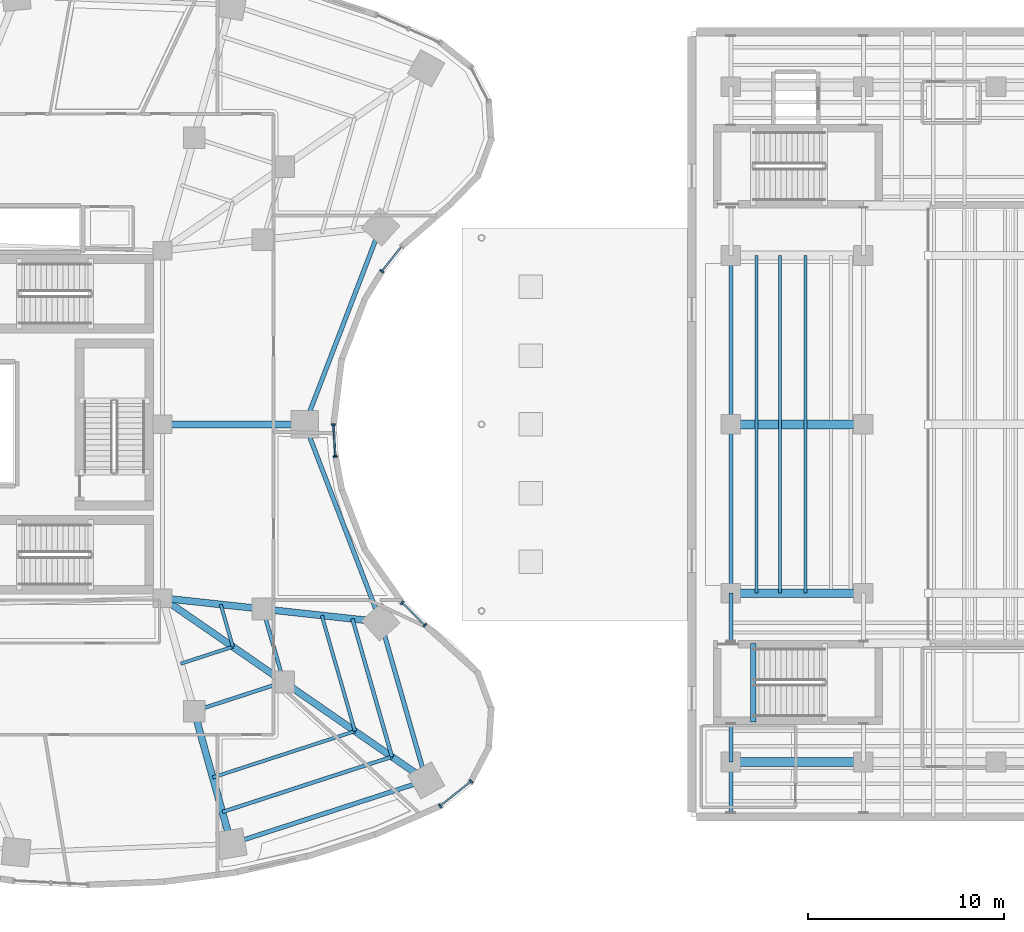
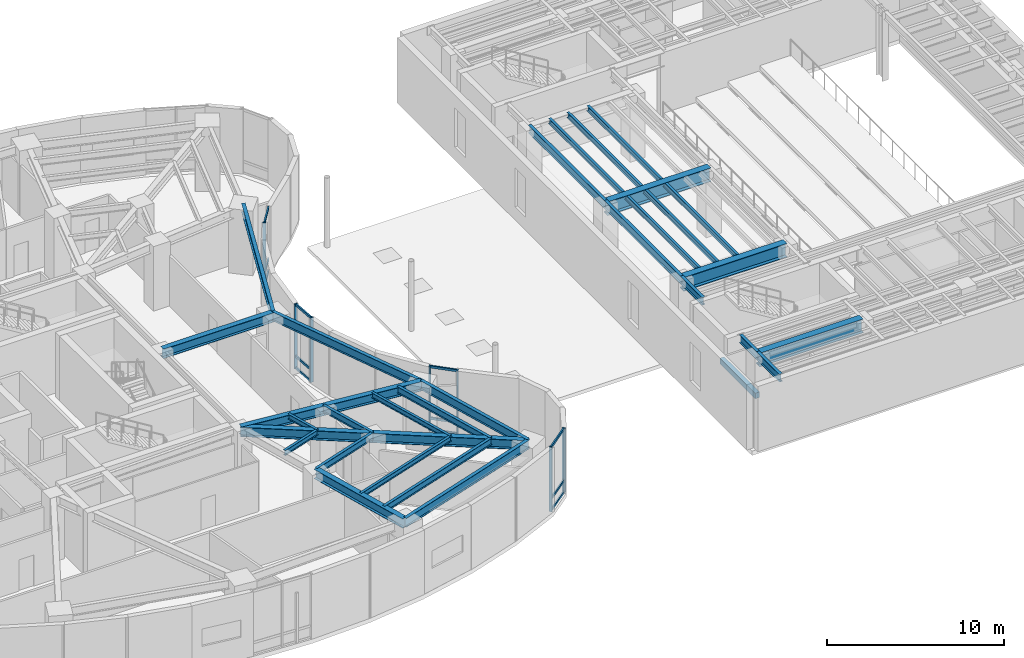
# One storey, part 7 of 24: 30 beams, 19 members, 4 elements without a shape of their own.
"""IFC4 building model written with IfcOpenShell, lengths in metres."""

from ifc_helpers import new_model, si_unit, direction, frame, origin, origin_2d, place, context, subcontext, project, spatial, rectangle, i_section, extrude, material, layer, layer_set, material_profile, profile_set, type_object, element, aggregate, save


model = new_model("IFC4")

# Units and contexts
model_context = context("Model", 3, precision=1e-05, world=origin(), true_north=direction((0.0, 1.0)))
body_context = subcontext(model_context, "Body", "Model", "MODEL_VIEW")
ifc_project = project(units=[si_unit("LENGTHUNIT", "METRE"), si_unit("AREAUNIT", "SQUARE_METRE"), si_unit("VOLUMEUNIT", "CUBIC_METRE"), si_unit("PLANEANGLEUNIT", "RADIAN"), si_unit("MASSUNIT", "GRAM", prefix="KILO")], contexts=[model_context])

# Site, building, storey
site_placement = place(None, origin())
site = spatial("IfcSite", under=ifc_project, at=site_placement, CompositionType="ELEMENT")
building_placement = place(site_placement, origin())
building = spatial("IfcBuilding", under=site, at=building_placement, Name="Korentha Bioscience Tower", CompositionType="ELEMENT")
storey_placement = place(building_placement, frame((0.0, 0.0, 10.199951171875)))
storey = spatial("IfcBuildingStorey", under=building, at=storey_placement, Name="L02", CompositionType="ELEMENT", Elevation=10.199951171875)

# Beams
ifc_material_1 = material(Name="Concrete C50", Category="concrete")
ifc_material_profile_1 = material_profile(ifc_material_1, rectangle(XDim=0.280029296875, YDim=0.3798828125, at=origin_2d()), Name="Concrete C50")
ifc_profile_set_1 = profile_set([ifc_material_profile_1], Name="Concrete C50 (ST-HB380)")
beam_type_1 = type_object("IfcBeamType", Name="Concrete Stair Header Beam RC 280x380", PredefinedType="BEAM", material=ifc_profile_set_1)
beam_1_placement = place(storey_placement, frame((67.64990234375, 11.85009765625, -0.18994140625), z_axis=(0.0, 1.0, 0.0), x_axis=(-1.0, 0.0, 0.0)))
element("IfcBeam", 1, at=beam_1_placement, inside=storey, type_object=beam_type_1, Name="L02 ST-T1 Concrete Stair Header Beam", PredefinedType="BEAM", context=body_context, shape_type="SweptSolid", body=[
    extrude(rectangle(XDim=0.280029296875, YDim=0.3798828125, at=origin_2d()), origin(), (0.0, 0.0, 1.0), 4.0),
])
ifc_material_2 = material(Name="Steel S355", Category="steel")
ifc_material_profile_2 = material_profile(ifc_material_2, i_section(OverallWidth=0.18994140625, OverallDepth=0.45703125, WebThickness=0.009033203125, FlangeThickness=0.014404296875, at=origin_2d()), Name="Steel S355")
ifc_profile_set_2 = profile_set([ifc_material_profile_2], Name="Steel S355 (MB-460)")
beam_type_2 = type_object("IfcBeamType", Name="Mid-Ring Tie Girder W460x74", PredefinedType="BEAM", material=ifc_profile_set_2)
beam_2_placement = place(storey_placement, frame((39.1611328125, 12.392333984375, 4.221435546875), z_axis=(0.950877001105, 0.309568940253, 0.0), x_axis=(-0.309568940253, 0.950877001105, 0.0)))
element("IfcBeam", 2, at=beam_2_placement, inside=storey, type_object=beam_type_2, Name="L02 Mid-Ring Tie Girder 12", PredefinedType="BEAM", context=body_context, shape_type="SweptSolid", body=[
    extrude(i_section(OverallWidth=0.18994140625, OverallDepth=0.45703125, WebThickness=0.009033203125, FlangeThickness=0.014404296875, at=origin_2d()), origin(), (0.0, 0.0, 1.0), 4.80126953125),
])
beam_3_placement = place(storey_placement, frame((43.7265625, 13.878662109375, 4.221435546875), z_axis=(-0.27560557792, 0.961270807535, 0.0), x_axis=(-0.961270807535, -0.27560557792, 0.0)))
element("IfcBeam", 3, at=beam_3_placement, inside=storey, type_object=beam_type_2, Name="L02 Mid-Ring Tie Girder 13", PredefinedType="BEAM", context=body_context, shape_type="SweptSolid", body=[
    extrude(i_section(OverallWidth=0.18994140625, OverallDepth=0.45703125, WebThickness=0.009033203125, FlangeThickness=0.014404296875, at=origin_2d()), origin(), (0.0, 0.0, 1.0), 3.864013671875),
])

# Curtain wall, members
ifc_material_3 = material(Name="Stone-Clad Aluminium Frame", Category="masonry")
ifc_layer = layer(ifc_material_3, 0.219970703125, Name="Stone-Clad Aluminium Frame")
ifc_layer_set = layer_set([ifc_layer], Name="Stone-Clad Aluminium Frame (CW-P1)")
curtain_wall_type = type_object("IfcCurtainWallType", Name="Podium Double-Height Stone-Mullion Curtain Wall CW-P1", PredefinedType="USERDEFINED", material=ifc_layer_set)
curtain_wall_1_placement = place(storey_placement, origin())
curtain_wall_1 = element("IfcCurtainWall", 4, at=curtain_wall_1_placement, inside=storey, type_object=curtain_wall_type, Name="L02 Curtain Wall 37", ObjectType="UNITISED", PredefinedType="USERDEFINED")
ifc_material_4 = material(Name="Anodised Aluminium 6063-T6", Category="aluminium")
ifc_material_profile_3 = material_profile(ifc_material_4, rectangle(XDim=0.090087890625, YDim=0.199951171875, at=origin_2d()), Name="Anodised Aluminium 6063-T6")
ifc_profile_set_3 = profile_set([ifc_material_profile_3], Name="Anodised Aluminium 6063-T6 (CW-MUL)")
member_type_1 = type_object("IfcMemberType", Name="Mullion RECT 90x200", PredefinedType="MULLION", material=ifc_profile_set_3)
member_1_placement = place(storey_placement, frame((51.6865234375, 7.56298828125, 0.0), z_axis=(0.0, 0.0, 1.0), x_axis=(0.782287851332, 0.62291710336, 0.0)))
member_1 = element("IfcMember", 5, at=member_1_placement, type_object=member_type_1, Name="CW-L02-37 Mullion 1", PredefinedType="MULLION", context=body_context, shape_type="SweptSolid", body=[
    extrude(rectangle(XDim=0.090087890625, YDim=0.199951171875, at=origin_2d()), origin(), (0.0, 0.0, 1.0), 4.449951171875),
])
member_2_placement = place(storey_placement, frame((53.264892578125, 8.81982421875, 0.0), z_axis=(0.0, 0.0, 1.0), x_axis=(0.782287851332, 0.62291710336, 0.0)))
member_2 = element("IfcMember", 6, at=member_2_placement, type_object=member_type_1, Name="CW-L02-37 Mullion 2", PredefinedType="MULLION", context=body_context, shape_type="SweptSolid", body=[
    extrude(rectangle(XDim=0.090087890625, YDim=0.199951171875, at=origin_2d()), origin(), (0.0, 0.0, 1.0), 4.449951171875),
])

curtain_wall_2_placement = place(storey_placement, origin())
curtain_wall_2 = element("IfcCurtainWall", 7, at=curtain_wall_2_placement, inside=storey, type_object=curtain_wall_type, Name="L02 Curtain Wall 43", ObjectType="UNITISED", PredefinedType="USERDEFINED")
member_3_placement = place(storey_placement, frame((50.913818359375, 16.76513671875, 0.0), z_axis=(0.0, 0.0, 1.0), x_axis=(-0.713279246754, 0.700879958445, 0.0)))
member_3 = element("IfcMember", 8, at=member_3_placement, type_object=member_type_1, Name="CW-L02-43 Mullion 1", PredefinedType="MULLION", context=body_context, shape_type="SweptSolid", body=[
    extrude(rectangle(XDim=0.090087890625, YDim=0.199951171875, at=origin_2d()), origin(), (0.0, 0.0, 1.0), 4.449951171875),
])
member_4_placement = place(storey_placement, frame((49.752685546875, 17.90625, 0.0), z_axis=(0.0, 0.0, 1.0), x_axis=(-0.713279246754, 0.700879958445, 0.0)))
member_4 = element("IfcMember", 9, at=member_4_placement, type_object=member_type_1, Name="CW-L02-43 Mullion 2", PredefinedType="MULLION", context=body_context, shape_type="SweptSolid", body=[
    extrude(rectangle(XDim=0.090087890625, YDim=0.199951171875, at=origin_2d()), origin(), (0.0, 0.0, 1.0), 4.449951171875),
])

curtain_wall_3_placement = place(storey_placement, origin())
curtain_wall_3 = element("IfcCurtainWall", 10, at=curtain_wall_3_placement, inside=storey, type_object=curtain_wall_type, Name="L02 Curtain Wall 49", ObjectType="UNITISED", PredefinedType="USERDEFINED")
member_5_placement = place(storey_placement, frame((46.355712890625, 25.3603515625, 0.0), z_axis=(0.0, 0.0, 1.0), x_axis=(-0.061008272998, 0.998137260413, 0.0)))
member_5 = element("IfcMember", 11, at=member_5_placement, type_object=member_type_1, Name="CW-L02-49 Mullion 1", PredefinedType="MULLION", context=body_context, shape_type="SweptSolid", body=[
    extrude(rectangle(XDim=0.090087890625, YDim=0.199951171875, at=origin_2d()), origin(), (0.0, 0.0, 1.0), 4.449951171875),
])
member_6_placement = place(storey_placement, frame((46.25634765625, 26.985107421875, 0.0), z_axis=(0.0, 0.0, 1.0), x_axis=(-0.061008272998, 0.998137260413, 0.0)))
member_6 = element("IfcMember", 12, at=member_6_placement, type_object=member_type_1, Name="CW-L02-49 Mullion 2", PredefinedType="MULLION", context=body_context, shape_type="SweptSolid", body=[
    extrude(rectangle(XDim=0.090087890625, YDim=0.199951171875, at=origin_2d()), origin(), (0.0, 0.0, 1.0), 4.449951171875),
])

# Curtain wall, member
curtain_wall_4_placement = place(storey_placement, origin())
curtain_wall_4 = element("IfcCurtainWall", 13, at=curtain_wall_4_placement, inside=storey, type_object=curtain_wall_type, Name="L02 Curtain Wall 55", ObjectType="UNITISED", PredefinedType="USERDEFINED")
member_7_placement = place(storey_placement, frame((48.719482421875, 34.7978515625, 0.0), z_axis=(0.0, 0.0, 1.0), x_axis=(0.622520324648, 0.782603632371, 0.0)))
member_7 = element("IfcMember", 14, at=member_7_placement, type_object=member_type_1, Name="CW-L02-55 Mullion 1", PredefinedType="MULLION", context=body_context, shape_type="SweptSolid", body=[
    extrude(rectangle(XDim=0.090087890625, YDim=0.199951171875, at=origin_2d()), origin(), (0.0, 0.0, 1.0), 4.449951171875),
])

# Beams
ifc_material_profile_4 = material_profile(ifc_material_2, i_section(OverallWidth=0.208984375, OverallDepth=0.532958984375, WebThickness=0.01025390625, FlangeThickness=0.015625, at=origin_2d()), Name="Steel S355")
ifc_profile_set_4 = profile_set([ifc_material_profile_4], Name="Steel S355 (SB-530)")
beam_type_3 = type_object("IfcBeamType", Name="Perimeter Ring Spandrel Girder W530x92", PredefinedType="SPANDREL", material=ifc_profile_set_4)
beam_4_placement = place(storey_placement, frame((66.5, 7.2099609375, 4.233642578125), z_axis=(0.0, 1.0, 0.0), x_axis=(-1.0, 0.0, 0.0)))
element("IfcBeam", 15, at=beam_4_placement, inside=storey, type_object=beam_type_3, Name="L02 Theatre Collector Girder 1-1", PredefinedType="SPANDREL", context=body_context, shape_type="SweptSolid", body=[
    extrude(i_section(OverallWidth=0.208984375, OverallDepth=0.532958984375, WebThickness=0.01025390625, FlangeThickness=0.015625, at=origin_2d()), origin(), (0.0, 0.0, 1.0), 2.590087890625),
])
beam_5_placement = place(storey_placement, frame((66.5, 9.800048828125, 4.233642578125), z_axis=(0.0, 1.0, 0.0), x_axis=(-1.0, 0.0, 0.0)))
element("IfcBeam", 16, at=beam_5_placement, inside=storey, type_object=beam_type_3, Name="L02 Theatre Collector Girder 1-2", PredefinedType="SPANDREL", context=body_context, shape_type="SweptSolid", body=[
    extrude(i_section(OverallWidth=0.208984375, OverallDepth=0.532958984375, WebThickness=0.01025390625, FlangeThickness=0.015625, at=origin_2d()), origin(), (0.0, 0.0, 1.0), 1.949951171875),
])
beam_6_placement = place(storey_placement, frame((66.5, 15.949951171875, 4.233642578125), z_axis=(0.0, 1.0, 0.0), x_axis=(-1.0, 0.0, 0.0)))
element("IfcBeam", 17, at=beam_6_placement, inside=storey, type_object=beam_type_3, Name="L02 Theatre Collector Girder 1-3", PredefinedType="SPANDREL", context=body_context, shape_type="SweptSolid", body=[
    extrude(i_section(OverallWidth=0.208984375, OverallDepth=0.532958984375, WebThickness=0.01025390625, FlangeThickness=0.015625, at=origin_2d()), origin(), (0.0, 0.0, 1.0), 2.449951171875),
])
for number, where, z_axis, x_axis, name in (
    (18, (66.5, 18.39990234375, 4.233642578125), (0.0, 1.0, 0.0), (-1.0, 0.0, 0.0), "L02 Theatre Collector Girder 1-4"),
    (19, (66.5, 27.0, 4.233642578125), (0.0, 1.0, 0.0), (-1.0, 0.0, 0.0), "L02 Theatre Collector Girder 1-5"),
):
    element("IfcBeam", number, at=place(storey_placement, frame(where, z_axis=z_axis, x_axis=x_axis)), inside=storey, type_object=beam_type_3, Name=name, PredefinedType="SPANDREL", context=body_context, shape_type="SweptSolid", body=[
        extrude(i_section(OverallWidth=0.208984375, OverallDepth=0.532958984375, WebThickness=0.01025390625, FlangeThickness=0.015625, at=origin_2d()), origin(), (0.0, 0.0, 1.0), 8.60009765625),
    ])
ifc_material_profile_5 = material_profile(ifc_material_2, i_section(OverallWidth=0.22802734375, OverallDepth=0.60791015625, WebThickness=0.01123046875, FlangeThickness=0.017333984375, at=origin_2d()), Name="Steel S355")
ifc_profile_set_5 = profile_set([ifc_material_profile_5], Name="Steel S355 (SB-610)")
beam_type_4 = type_object("IfcBeamType", Name="Perimeter Ring Spandrel Girder W610x113", PredefinedType="SPANDREL", material=ifc_profile_set_5)
beam_7_placement = place(storey_placement, frame((41.052490234375, 5.63330078125, 4.14599609375), z_axis=(0.95087511444, 0.309574735305, 0.0), x_axis=(-0.309574735305, 0.95087511444, 0.0)))
element("IfcBeam", 20, at=beam_7_placement, inside=storey, type_object=beam_type_4, Name="L02 Perimeter Spandrel Girder 12", PredefinedType="SPANDREL", context=body_context, shape_type="SweptSolid", body=[
    extrude(i_section(OverallWidth=0.22802734375, OverallDepth=0.60791015625, WebThickness=0.01123046875, FlangeThickness=0.017333984375, at=origin_2d()), origin(), (0.0, 0.0, 1.0), 10.4375),
])
beam_8_placement = place(storey_placement, frame((50.977294921875, 8.864501953125, 4.14599609375), z_axis=(-0.275642273411, 0.961260285827, 0.0), x_axis=(-0.961260285827, -0.275642273411, 0.0)))
element("IfcBeam", 21, at=beam_8_placement, inside=storey, type_object=beam_type_4, Name="L02 Perimeter Spandrel Girder 13", PredefinedType="SPANDREL", context=body_context, shape_type="SweptSolid", body=[
    extrude(i_section(OverallWidth=0.22802734375, OverallDepth=0.60791015625, WebThickness=0.01123046875, FlangeThickness=0.017333984375, at=origin_2d()), origin(), (0.0, 0.0, 1.0), 8.400146484375),
])
for number, where, z_axis, x_axis, name in (
    (22, (48.661865234375, 16.939208984375, 4.14599609375), (-0.358473520253, 0.93353989485, 0.0), (-0.93353989485, -0.358473520253, 0.0), "L02 Perimeter Spandrel Girder 14"),
    (23, (44.798583984375, 27.0, 4.14599609375), (0.358473520253, 0.93353989485, 0.0), (-0.93353989485, 0.358473520253, 0.0), "L02 Perimeter Spandrel Girder 15"),
):
    element("IfcBeam", number, at=place(storey_placement, frame(where, z_axis=z_axis, x_axis=x_axis)), inside=storey, type_object=beam_type_4, Name=name, PredefinedType="SPANDREL", context=body_context, shape_type="SweptSolid", body=[
        extrude(i_section(OverallWidth=0.22802734375, OverallDepth=0.60791015625, WebThickness=0.01123046875, FlangeThickness=0.017333984375, at=origin_2d()), origin(), (0.0, 0.0, 1.0), 10.777099609375),
    ])
ifc_material_profile_6 = material_profile(ifc_material_2, i_section(OverallWidth=0.18994140625, OverallDepth=0.45703125, WebThickness=0.009033203125, FlangeThickness=0.014404296875, at=origin_2d()), Name="Steel S355")
ifc_profile_set_6 = profile_set([ifc_material_profile_6], Name="Steel S355 (RB-460)")
beam_type_5 = type_object("IfcBeamType", Name="Radial Laboratory Beam W460x74", PredefinedType="BEAM", material=ifc_profile_set_6)
beam_9_placement = place(storey_placement, frame((40.5986328125, 7.255615234375, 4.221435546875), z_axis=(0.95087437499, 0.309577006554, 0.0), x_axis=(-0.309577006554, 0.95087437499, 0.0)))
element("IfcBeam", 24, at=beam_9_placement, inside=storey, type_object=beam_type_5, Name="L02 Secondary Floor Beam JSTO-12", PredefinedType="BEAM", context=body_context, shape_type="SweptSolid", body=[
    extrude(i_section(OverallWidth=0.18994140625, OverallDepth=0.45703125, WebThickness=0.009033203125, FlangeThickness=0.014404296875, at=origin_2d()), origin(), (0.0, 0.0, 1.0), 9.0849609375),
])
beam_10_placement = place(storey_placement, frame((49.2373046875, 10.068115234375, 4.221435546875), z_axis=(-0.275682421415, 0.961248772443, 0.0), x_axis=(-0.961248772443, -0.275682421415, 0.0)))
element("IfcBeam", 25, at=beam_10_placement, inside=storey, type_object=beam_type_5, Name="L02 Secondary Floor Beam JSTO-13", PredefinedType="BEAM", context=body_context, shape_type="SweptSolid", body=[
    extrude(i_section(OverallWidth=0.18994140625, OverallDepth=0.45703125, WebThickness=0.009033203125, FlangeThickness=0.014404296875, at=origin_2d()), origin(), (0.0, 0.0, 1.0), 7.3115234375),
])
ifc_material_profile_7 = material_profile(ifc_material_2, i_section(OverallWidth=0.35009765625, OverallDepth=0.64990234375, WebThickness=0.01611328125, FlangeThickness=0.02490234375, at=origin_2d()), Name="Steel S355")
ifc_profile_set_7 = profile_set([ifc_material_profile_7], Name="Steel S355 (RB-650)")
beam_type_6 = type_object("IfcBeamType", Name="Radial Laboratory Girder CVS 650x208", PredefinedType="BEAM", material=ifc_profile_set_7)
beam_11_placement = place(storey_placement, frame((39.1611328125, 12.392333984375, 4.125), z_axis=(0.269475095129, -0.963007358801, 0.0), x_axis=(0.963007358801, 0.269475095129, 0.0)))
element("IfcBeam", 26, at=beam_11_placement, inside=storey, type_object=beam_type_6, Name="L02 Outer Radial Girder 12", PredefinedType="BEAM", context=body_context, shape_type="SweptSolid", body=[
    extrude(i_section(OverallWidth=0.35009765625, OverallDepth=0.64990234375, WebThickness=0.01611328125, FlangeThickness=0.02490234375, at=origin_2d()), origin(), (0.0, 0.0, 1.0), 7.0185546875),
])
beam_12_placement = place(storey_placement, frame((37.550048828125, 18.14990234375, 4.125), z_axis=(0.822491697625, -0.568777115694, 0.0), x_axis=(0.568777115694, 0.822491697625, 0.0)))
element("IfcBeam", 27, at=beam_12_placement, inside=storey, type_object=beam_type_6, Name="L02 Inner Radial Girder 13", PredefinedType="BEAM", context=body_context, shape_type="SweptSolid", body=[
    extrude(i_section(OverallWidth=0.35009765625, OverallDepth=0.64990234375, WebThickness=0.01611328125, FlangeThickness=0.02490234375, at=origin_2d()), origin(), (0.0, 0.0, 1.0), 7.509521484375),
])
beam_13_placement = place(storey_placement, frame((43.7265625, 13.878662109375, 4.125), z_axis=(0.822488186113, -0.568782193555, 0.0), x_axis=(0.568782193555, 0.822488186113, 0.0)))
element("IfcBeam", 28, at=beam_13_placement, inside=storey, type_object=beam_type_6, Name="L02 Outer Radial Girder 13", PredefinedType="BEAM", context=body_context, shape_type="SweptSolid", body=[
    extrude(i_section(OverallWidth=0.35009765625, OverallDepth=0.64990234375, WebThickness=0.01611328125, FlangeThickness=0.02490234375, at=origin_2d()), origin(), (0.0, 0.0, 1.0), 8.815673828125),
])
beam_14_placement = place(storey_placement, frame((37.550048828125, 18.14990234375, 4.125), z_axis=(0.994117709144, -0.10830503389, 0.0), x_axis=(0.10830503389, 0.994117709144, 0.0)))
element("IfcBeam", 29, at=beam_14_placement, inside=storey, type_object=beam_type_6, Name="L02 Inner Radial Girder 14", PredefinedType="BEAM", context=body_context, shape_type="SweptSolid", body=[
    extrude(i_section(OverallWidth=0.35009765625, OverallDepth=0.64990234375, WebThickness=0.01611328125, FlangeThickness=0.02490234375, at=origin_2d()), origin(), (0.0, 0.0, 1.0), 5.141845703125),
])
beam_15_placement = place(storey_placement, frame((42.66162109375, 17.593017578125, 4.125), z_axis=(0.994115805925, -0.108322501862, 0.0), x_axis=(0.108322501862, 0.994115805925, 0.0)))
element("IfcBeam", 30, at=beam_15_placement, inside=storey, type_object=beam_type_6, Name="L02 Outer Radial Girder 14", PredefinedType="BEAM", context=body_context, shape_type="SweptSolid", body=[
    extrude(i_section(OverallWidth=0.35009765625, OverallDepth=0.64990234375, WebThickness=0.01611328125, FlangeThickness=0.02490234375, at=origin_2d()), origin(), (0.0, 0.0, 1.0), 6.03564453125),
])
beam_16_placement = place(storey_placement, frame((37.550048828125, 27.0, 4.125), z_axis=(1.0, 0.0, 0.0), x_axis=(0.0, 1.0, 0.0)))
element("IfcBeam", 31, at=beam_16_placement, inside=storey, type_object=beam_type_6, Name="L02 Radial Girder 15", PredefinedType="BEAM", context=body_context, shape_type="SweptSolid", body=[
    extrude(i_section(OverallWidth=0.35009765625, OverallDepth=0.64990234375, WebThickness=0.01611328125, FlangeThickness=0.02490234375, at=origin_2d()), origin(), (0.0, 0.0, 1.0), 7.24853515625),
])
ifc_material_profile_8 = material_profile(ifc_material_2, i_section(OverallWidth=0.1708984375, OverallDepth=0.35498046875, WebThickness=0.007080078125, FlangeThickness=0.01171875, at=origin_2d()), Name="Steel S355")
ifc_profile_set_8 = profile_set([ifc_material_profile_8], Name="Steel S355 (JB-360)")
beam_type_7 = type_object("IfcBeamType", Name="Secondary Laboratory Joist W360x51", PredefinedType="JOIST", material=ifc_profile_set_8)
beam_17_placement = place(storey_placement, frame((40.10693359375, 9.0126953125, 4.2724609375), z_axis=(0.950870992772, 0.309587394938, 0.0), x_axis=(-0.309587394938, 0.950870992772, 0.0)))
element("IfcBeam", 32, at=beam_17_placement, inside=storey, type_object=beam_type_7, Name="L02 Secondary Floor Beam JST-12", PredefinedType="JOIST", context=body_context, shape_type="SweptSolid", body=[
    extrude(i_section(OverallWidth=0.1708984375, OverallDepth=0.35498046875, WebThickness=0.007080078125, FlangeThickness=0.01171875, at=origin_2d()), origin(), (0.0, 0.0, 1.0), 7.619384765625),
])
beam_18_placement = place(storey_placement, frame((38.484619140625, 14.810546875, 4.2724609375), z_axis=(0.950869630746, 0.309591578254, 0.0), x_axis=(-0.309591578254, 0.950869630746, 0.0)))
element("IfcBeam", 33, at=beam_18_placement, inside=storey, type_object=beam_type_7, Name="L02 Inner Bay Joist 12", PredefinedType="JOIST", context=body_context, shape_type="SweptSolid", body=[
    extrude(i_section(OverallWidth=0.1708984375, OverallDepth=0.35498046875, WebThickness=0.007080078125, FlangeThickness=0.01171875, at=origin_2d()), origin(), (0.0, 0.0, 1.0), 2.784423828125),
])
beam_19_placement = place(storey_placement, frame((47.35205078125, 11.37158203125, 4.2724609375), z_axis=(-0.275667500387, 0.96125305161, 0.0), x_axis=(-0.96125305161, -0.275667500387, 0.0)))
element("IfcBeam", 34, at=beam_19_placement, inside=storey, type_object=beam_type_7, Name="L02 Secondary Floor Beam JST-13", PredefinedType="JOIST", context=body_context, shape_type="SweptSolid", body=[
    extrude(i_section(OverallWidth=0.1708984375, OverallDepth=0.35498046875, WebThickness=0.007080078125, FlangeThickness=0.01171875, at=origin_2d()), origin(), (0.0, 0.0, 1.0), 6.132080078125),
])
beam_20_placement = place(storey_placement, frame((41.13232421875, 15.672607421875, 4.2724609375), z_axis=(-0.275613067773, 0.961268660091, 0.0), x_axis=(-0.961268660091, -0.275613067773, 0.0)))
element("IfcBeam", 35, at=beam_20_placement, inside=storey, type_object=beam_type_7, Name="L02 Inner Bay Joist 13", PredefinedType="JOIST", context=body_context, shape_type="SweptSolid", body=[
    extrude(i_section(OverallWidth=0.1708984375, OverallDepth=0.35498046875, WebThickness=0.007080078125, FlangeThickness=0.01171875, at=origin_2d()), origin(), (0.0, 0.0, 1.0), 2.2412109375),
])
for number, where, z_axis, x_axis, name in (
    (36, (67.800048828125, 18.39990234375, 4.322509765625), (0.0, 1.0, 0.0), (-1.0, 0.0, 0.0), "L02 Theatre Foyer Longitudinal Joist 01"),
    (37, (69.0, 18.39990234375, 4.322509765625), (0.0, 1.0, 0.0), (-1.0, 0.0, 0.0), "L02 Theatre Foyer Longitudinal Joist 02"),
    (38, (70.300048828125, 18.39990234375, 4.322509765625), (0.0, 1.0, 0.0), (-1.0, 0.0, 0.0), "L02 Theatre Foyer Longitudinal Joist 03"),
):
    element("IfcBeam", number, at=place(storey_placement, frame(where, z_axis=z_axis, x_axis=x_axis)), inside=storey, type_object=beam_type_7, Name=name, PredefinedType="JOIST", context=body_context, shape_type="SweptSolid", body=[
        extrude(i_section(OverallWidth=0.1708984375, OverallDepth=0.35498046875, WebThickness=0.007080078125, FlangeThickness=0.01171875, at=origin_2d()), origin(), (0.0, 0.0, 1.0), 17.2001953125),
    ])
ifc_material_profile_9 = material_profile(ifc_material_2, i_section(OverallWidth=0.449951171875, OverallDepth=0.949951171875, WebThickness=0.02001953125, FlangeThickness=0.034912109375, at=origin_2d()), Name="Steel S355")
ifc_profile_set_9 = profile_set([ifc_material_profile_9], Name="Steel S355 (TB-950)")
beam_type_8 = type_object("IfcBeamType", Name="Theatre Primary Girder CVS 950x374", PredefinedType="BEAM", material=ifc_profile_set_9)
for number, where, z_axis, x_axis, name in (
    (39, (66.5, 9.800048828125, 4.025146484375), (1.0, 0.0, 0.0), (0.0, 1.0, 0.0), "L02 Theatre Foyer Girder 1"),
    (40, (66.5, 18.39990234375, 4.025146484375), (1.0, 0.0, 0.0), (0.0, 1.0, 0.0), "L02 Theatre Foyer Girder 2"),
    (41, (66.5, 27.0, 4.025146484375), (1.0, 0.0, 0.0), (0.0, 1.0, 0.0), "L02 Theatre Foyer Girder 3"),
):
    element("IfcBeam", number, at=place(storey_placement, frame(where, z_axis=z_axis, x_axis=x_axis)), inside=storey, type_object=beam_type_8, Name=name, PredefinedType="BEAM", context=body_context, shape_type="SweptSolid", body=[
        extrude(i_section(OverallWidth=0.449951171875, OverallDepth=0.949951171875, WebThickness=0.02001953125, FlangeThickness=0.034912109375, at=origin_2d()), origin(), (0.0, 0.0, 1.0), 6.75),
    ])

# Member
ifc_material_profile_10 = material_profile(ifc_material_4, rectangle(XDim=0.090087890625, YDim=0.159912109375, at=origin_2d()), Name="Anodised Aluminium 6063-T6")
ifc_profile_set_10 = profile_set([ifc_material_profile_10], Name="Anodised Aluminium 6063-T6 (CW-TRN)")
member_type_2 = type_object("IfcMemberType", Name="Transom RECT 90x160", PredefinedType="USERDEFINED", material=ifc_profile_set_10)
member_8_placement = place(storey_placement, frame((51.7216796875, 7.591064453125, 0.045166015625), z_axis=(0.78232471634, 0.622870803782, 0.0), x_axis=(-0.622870803782, 0.78232471634, 0.0)))
member_8 = element("IfcMember", 42, at=member_8_placement, type_object=member_type_2, Name="CW-L02-37 Bay 1 Transom 1", ObjectType="TRANSOM", PredefinedType="USERDEFINED", context=body_context, shape_type="SweptSolid", body=[
    extrude(rectangle(XDim=0.090087890625, YDim=0.159912109375, at=origin_2d()), origin(), (0.0, 0.0, 1.0), 1.927734375),
])

member_9_placement = place(storey_placement, frame((51.7216796875, 7.591064453125, 0.85009765625), z_axis=(0.78232471634, 0.622870803782, 0.0), x_axis=(-0.622870803782, 0.78232471634, 0.0)))
member_9 = element("IfcMember", 43, at=member_9_placement, type_object=member_type_2, Name="CW-L02-37 Bay 1 Transom 2", ObjectType="TRANSOM", PredefinedType="USERDEFINED", context=body_context, shape_type="SweptSolid", body=[
    extrude(rectangle(XDim=0.090087890625, YDim=0.159912109375, at=origin_2d()), origin(), (0.0, 0.0, 1.0), 1.927734375),
])

member_10_placement = place(storey_placement, frame((51.7216796875, 7.591064453125, 4.405029296875), z_axis=(0.78232471634, 0.622870803782, 0.0), x_axis=(-0.622870803782, 0.78232471634, 0.0)))
member_10 = element("IfcMember", 44, at=member_10_placement, type_object=member_type_2, Name="CW-L02-37 Bay 1 Transom 3", ObjectType="TRANSOM", PredefinedType="USERDEFINED", context=body_context, shape_type="SweptSolid", body=[
    extrude(rectangle(XDim=0.090087890625, YDim=0.159912109375, at=origin_2d()), origin(), (0.0, 0.0, 1.0), 1.927734375),
])

aggregate(curtain_wall_1, [member_1, member_2, member_8, member_9, member_10])

member_11_placement = place(storey_placement, frame((50.8818359375, 16.796875, 0.045166015625), z_axis=(-0.713350356322, 0.700807583531, 0.0), x_axis=(-0.700807583531, -0.713350356322, 0.0)))
member_11 = element("IfcMember", 45, at=member_11_placement, type_object=member_type_2, Name="CW-L02-43 Bay 1 Transom 1", ObjectType="TRANSOM", PredefinedType="USERDEFINED", context=body_context, shape_type="SweptSolid", body=[
    extrude(rectangle(XDim=0.090087890625, YDim=0.159912109375, at=origin_2d()), origin(), (0.0, 0.0, 1.0), 1.53759765625),
])

member_12_placement = place(storey_placement, frame((50.8818359375, 16.796875, 0.85009765625), z_axis=(-0.713350356322, 0.700807583531, 0.0), x_axis=(-0.700807583531, -0.713350356322, 0.0)))
member_12 = element("IfcMember", 46, at=member_12_placement, type_object=member_type_2, Name="CW-L02-43 Bay 1 Transom 2", ObjectType="TRANSOM", PredefinedType="USERDEFINED", context=body_context, shape_type="SweptSolid", body=[
    extrude(rectangle(XDim=0.090087890625, YDim=0.159912109375, at=origin_2d()), origin(), (0.0, 0.0, 1.0), 1.53759765625),
])

member_13_placement = place(storey_placement, frame((50.8818359375, 16.796875, 4.405029296875), z_axis=(-0.713350356322, 0.700807583531, 0.0), x_axis=(-0.700807583531, -0.713350356322, 0.0)))
member_13 = element("IfcMember", 47, at=member_13_placement, type_object=member_type_2, Name="CW-L02-43 Bay 1 Transom 3", ObjectType="TRANSOM", PredefinedType="USERDEFINED", context=body_context, shape_type="SweptSolid", body=[
    extrude(rectangle(XDim=0.090087890625, YDim=0.159912109375, at=origin_2d()), origin(), (0.0, 0.0, 1.0), 1.53759765625),
])

aggregate(curtain_wall_2, [member_3, member_4, member_11, member_12, member_13])

member_14_placement = place(storey_placement, frame((46.352783203125, 25.4052734375, 0.045166015625), z_axis=(-0.060964804815, 0.998139916331, 0.0), x_axis=(-0.998139916331, -0.060964804815, 0.0)))
member_14 = element("IfcMember", 48, at=member_14_placement, type_object=member_type_2, Name="CW-L02-49 Bay 1 Transom 1", ObjectType="TRANSOM", PredefinedType="USERDEFINED", context=body_context, shape_type="SweptSolid", body=[
    extrude(rectangle(XDim=0.090087890625, YDim=0.159912109375, at=origin_2d()), origin(), (0.0, 0.0, 1.0), 1.537841796875),
])

member_15_placement = place(storey_placement, frame((46.352783203125, 25.4052734375, 0.85009765625), z_axis=(-0.060964804815, 0.998139916331, 0.0), x_axis=(-0.998139916331, -0.060964804815, 0.0)))
member_15 = element("IfcMember", 49, at=member_15_placement, type_object=member_type_2, Name="CW-L02-49 Bay 1 Transom 2", ObjectType="TRANSOM", PredefinedType="USERDEFINED", context=body_context, shape_type="SweptSolid", body=[
    extrude(rectangle(XDim=0.090087890625, YDim=0.159912109375, at=origin_2d()), origin(), (0.0, 0.0, 1.0), 1.537841796875),
])

member_16_placement = place(storey_placement, frame((46.352783203125, 25.4052734375, 4.405029296875), z_axis=(-0.060964804815, 0.998139916331, 0.0), x_axis=(-0.998139916331, -0.060964804815, 0.0)))
member_16 = element("IfcMember", 50, at=member_16_placement, type_object=member_type_2, Name="CW-L02-49 Bay 1 Transom 3", ObjectType="TRANSOM", PredefinedType="USERDEFINED", context=body_context, shape_type="SweptSolid", body=[
    extrude(rectangle(XDim=0.090087890625, YDim=0.159912109375, at=origin_2d()), origin(), (0.0, 0.0, 1.0), 1.537841796875),
])

aggregate(curtain_wall_3, [member_5, member_6, member_14, member_15, member_16])

member_17_placement = place(storey_placement, frame((48.74755859375, 34.8330078125, 0.045166015625), z_axis=(0.622563336945, 0.782569416405, 0.0), x_axis=(-0.782569416405, 0.622563336945, 0.0)))
member_17 = element("IfcMember", 51, at=member_17_placement, type_object=member_type_2, Name="CW-L02-55 Bay 1 Transom 1", ObjectType="TRANSOM", PredefinedType="USERDEFINED", context=body_context, shape_type="SweptSolid", body=[
    extrude(rectangle(XDim=0.090087890625, YDim=0.159912109375, at=origin_2d()), origin(), (0.0, 0.0, 1.0), 1.5380859375),
])

member_18_placement = place(storey_placement, frame((48.74755859375, 34.8330078125, 0.85009765625), z_axis=(0.622563336945, 0.782569416405, 0.0), x_axis=(-0.782569416405, 0.622563336945, 0.0)))
member_18 = element("IfcMember", 52, at=member_18_placement, type_object=member_type_2, Name="CW-L02-55 Bay 1 Transom 2", ObjectType="TRANSOM", PredefinedType="USERDEFINED", context=body_context, shape_type="SweptSolid", body=[
    extrude(rectangle(XDim=0.090087890625, YDim=0.159912109375, at=origin_2d()), origin(), (0.0, 0.0, 1.0), 1.5380859375),
])

member_19_placement = place(storey_placement, frame((48.74755859375, 34.8330078125, 4.405029296875), z_axis=(0.622563336945, 0.782569416405, 0.0), x_axis=(-0.782569416405, 0.622563336945, 0.0)))
member_19 = element("IfcMember", 53, at=member_19_placement, type_object=member_type_2, Name="CW-L02-55 Bay 1 Transom 3", ObjectType="TRANSOM", PredefinedType="USERDEFINED", context=body_context, shape_type="SweptSolid", body=[
    extrude(rectangle(XDim=0.090087890625, YDim=0.159912109375, at=origin_2d()), origin(), (0.0, 0.0, 1.0), 1.5380859375),
])

aggregate(curtain_wall_4, [member_7, member_17, member_18, member_19])

save(model, "model.ifc")
